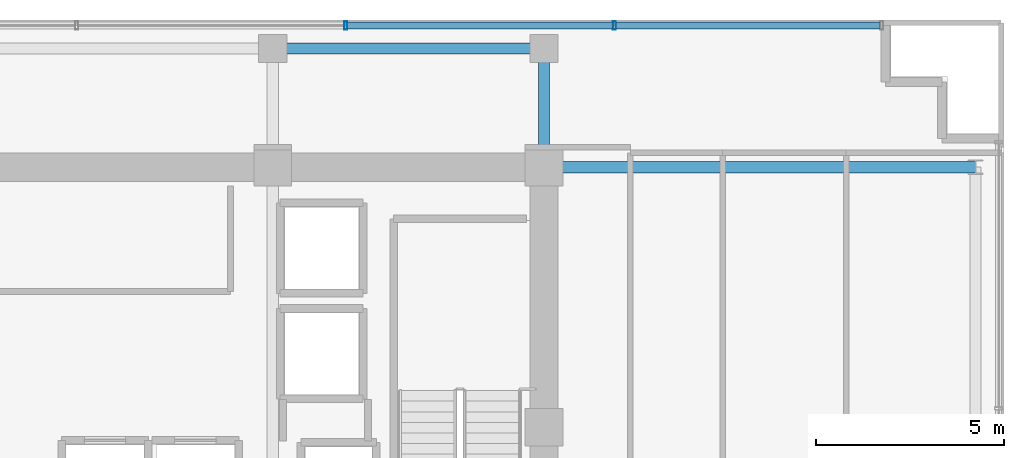
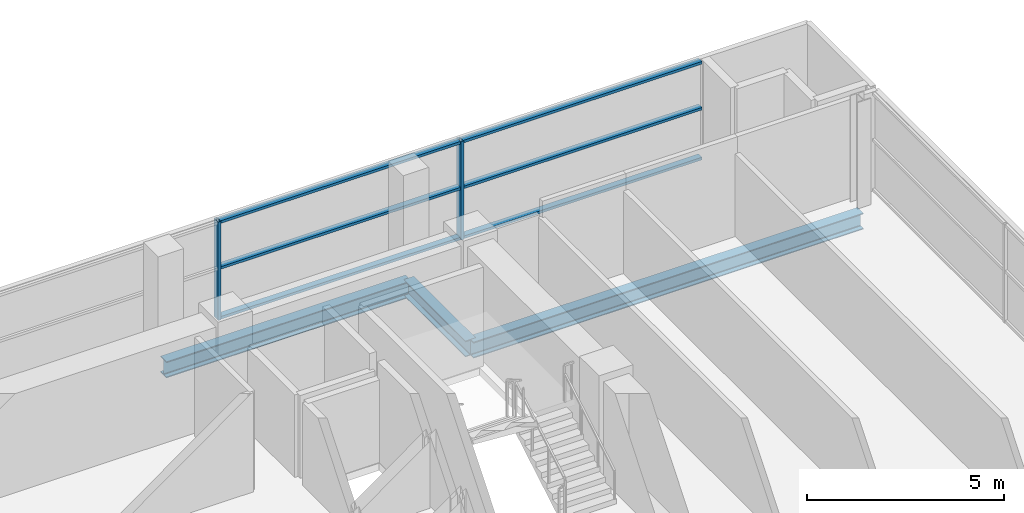
# One storey, part 12 of 21: 8 members, 3 beams, 1 element without a shape of its own.
"""IFC4 building model written with IfcOpenShell, lengths in metres."""

import ifcopenshell
import ifcopenshell.guid

model = None  # the IFC model being written
_history = None  # IfcOwnerHistory: only IFC2X3 demands one
_inside = {}  # id of a spatial element -> (the spatial element, [elements in it])
_under = {}  # id of a project, library or spatial element -> (it, [spatial elements below it])
_declared = {}  # id of a project -> (the project, [libraries it declares])
_typed = {}  # id of a type object -> (the type object, [elements of that type])
_made_of = {}  # id of a material, layer set ... -> (it, [elements and type objects made of it])


def new_model(schema):
    """Start an empty IFC model of exactly this schema.

    Asked for "IFC4X3", IfcOpenShell would pick the latest addendum, in which some entities
    have other attributes; the version numbers below select the first issue.
    IFC2X3 requires an IfcOwnerHistory on every rooted entity: one is made here for all.
    """
    global model, _history
    if schema == "IFC4X3":
        model = ifcopenshell.file(schema_version=(4, 3, 0, 0))
    else:
        model = ifcopenshell.file(schema=schema)
    _inside.clear()
    _under.clear()
    _declared.clear()
    _typed.clear()
    _made_of.clear()
    _history = None
    if model.schema == "IFC2X3":
        org = make("IfcOrganization", Name="unknown")
        user = make(
            "IfcPersonAndOrganization",
            ThePerson=make("IfcPerson", FamilyName="unknown"),
            TheOrganization=org,
        )
        app = make(
            "IfcApplication",
            ApplicationDeveloper=org,
            Version="unknown",
            ApplicationFullName="unknown",
            ApplicationIdentifier="unknown",
        )
        _history = make(
            "IfcOwnerHistory",
            OwningUser=user,
            OwningApplication=app,
            ChangeAction="ADDED",
            CreationDate=0,
        )
    return model


def make(cls, **values):
    """One entity of the class cls with the attributes given. An attribute that is None is left unset."""
    return model.create_entity(
        cls, **{name: value for name, value in values.items() if value is not None}
    )


def rooted(cls, **values):
    """An entity with a GlobalId (a new one), such as an element, a storey or a relation."""
    return make(cls, GlobalId=ifcopenshell.guid.new(), OwnerHistory=_history, **values)


def si_unit(unit_type, name, prefix=None):
    """IfcSIUnit, for example si_unit("LENGTHUNIT", "METRE", prefix="MILLI")."""
    return make("IfcSIUnit", UnitType=unit_type, Prefix=prefix, Name=name)


def assignment(units):
    """IfcUnitAssignment: the units of a project."""
    return None if units is None else make("IfcUnitAssignment", Units=units)


def point(xyz):
    """IfcCartesianPoint."""
    return None if xyz is None else make("IfcCartesianPoint", Coordinates=xyz)


def direction(xyz):
    """IfcDirection."""
    return None if xyz is None else make("IfcDirection", DirectionRatios=xyz)


def frame(location, z_axis=None, x_axis=None):
    """IfcAxis2Placement3D, a coordinate frame: its origin and axes. An axis left out is left unset."""
    return make(
        "IfcAxis2Placement3D",
        Location=point(location),
        Axis=direction(z_axis),
        RefDirection=direction(x_axis),
    )


def frame_2d(location, x_axis=None):
    """IfcAxis2Placement2D, a coordinate frame in the plane: its origin and x axis."""
    return make(
        "IfcAxis2Placement2D", Location=point(location), RefDirection=direction(x_axis)
    )


def origin():
    """The frame at (0, 0, 0) with its axes left unset."""
    return frame((0.0, 0.0, 0.0))


def origin_2d():
    """The frame at (0, 0) in the plane with its x axis left unset."""
    return frame_2d((0.0, 0.0))


def place(relative_to, where):
    """IfcLocalPlacement: puts the frame where relative to a parent placement (None: the world)."""
    return make(
        "IfcLocalPlacement", PlacementRelTo=relative_to, RelativePlacement=where
    )


def context(
    kind, dimensions, precision=None, world=None, true_north=None, identifier=None
):
    """IfcGeometricRepresentationContext, for example the 3D "Model" context."""
    return make(
        "IfcGeometricRepresentationContext",
        ContextIdentifier=identifier,
        ContextType=kind,
        CoordinateSpaceDimension=dimensions,
        Precision=precision,
        WorldCoordinateSystem=world,
        TrueNorth=true_north,
    )


def subcontext(parent, identifier, kind, view, scale=None):
    """IfcGeometricRepresentationSubContext, for example "Body" below "Model"."""
    return make(
        "IfcGeometricRepresentationSubContext",
        ContextIdentifier=identifier,
        ContextType=kind,
        ParentContext=parent,
        TargetScale=scale,
        TargetView=view,
    )


def project(units=None, contexts=None):
    """IfcProject with its units and contexts."""
    return rooted(
        "IfcProject",
        Name="project",
        RepresentationContexts=contexts,
        UnitsInContext=assignment(units),
    )


def spatial(cls, under=None, at=None, **own):
    """A site, building, storey or space (cls), placed at a placement, below another one or the project."""
    s = rooted(cls, ObjectPlacement=at, **own)
    if under is not None:
        _under.setdefault(under.id(), (under, []))[1].append(s)
    return s


def profile(cls, at=None, kind="AREA", **sizes):
    """A parametric profile (cls). Its sizes go by their IFC names, for example OverallWidth=200.0."""
    return make(cls, ProfileType=kind, Position=at, **sizes)


def hollow_rectangle(**sizes):
    """IfcRectangleHollowProfileDef."""
    return profile("IfcRectangleHollowProfileDef", **sizes)


def i_section(**sizes):
    """IfcIShapeProfileDef."""
    return profile("IfcIShapeProfileDef", **sizes)


def extrude(swept, where, along, depth):
    """IfcExtrudedAreaSolid: the profile swept, set in the frame where, extruded along a direction by depth."""
    return make(
        "IfcExtrudedAreaSolid",
        SweptArea=swept,
        Position=where,
        ExtrudedDirection=direction(along),
        Depth=depth,
    )


def shape(context_of_items, identifier, shape_type, items):
    """IfcShapeRepresentation: the items that make up one representation, for example the "Body"."""
    return make(
        "IfcShapeRepresentation",
        ContextOfItems=context_of_items,
        RepresentationIdentifier=identifier,
        RepresentationType=shape_type,
        Items=items,
    )


def source(mapping_origin, context_of_items, identifier, shape_type, items):
    """IfcRepresentationMap: a shape defined once, which mapped items show again and again."""
    return make(
        "IfcRepresentationMap",
        MappingOrigin=mapping_origin,
        MappedRepresentation=shape(context_of_items, identifier, shape_type, items),
    )


def transform(
    local_origin,
    x_axis=None,
    y_axis=None,
    z_axis=None,
    scale=None,
    scale2=None,
    scale3=None,
    uniform=True,
):
    """IfcCartesianTransformationOperator3D, or its non-uniform kind. x_axis, y_axis, z_axis: its Axis1, 2, 3."""
    if uniform:
        return make(
            "IfcCartesianTransformationOperator3D",
            Axis1=direction(x_axis),
            Axis2=direction(y_axis),
            LocalOrigin=point(local_origin),
            Scale=scale,
            Axis3=direction(z_axis),
        )
    return make(
        "IfcCartesianTransformationOperator3DnonUniform",
        Axis1=direction(x_axis),
        Axis2=direction(y_axis),
        LocalOrigin=point(local_origin),
        Scale=scale,
        Axis3=direction(z_axis),
        Scale2=scale2,
        Scale3=scale3,
    )


def mapped(mapping_source, mapping_target):
    """IfcMappedItem: shows the shape of a source again, moved by a transform."""
    return make(
        "IfcMappedItem", MappingSource=mapping_source, MappingTarget=mapping_target
    )


def material(Name=None, Category=None):
    """IfcMaterial."""
    return make("IfcMaterial", Name=Name, Category=Category)


def layer(
    of_material, thickness, ventilated=None, Name=None, Category=None, Priority=None
):
    """IfcMaterialLayer: one layer of a wall or slab, of a material (None: an air gap)."""
    return make(
        "IfcMaterialLayer",
        Material=of_material,
        LayerThickness=thickness,
        IsVentilated=ventilated,
        Name=Name,
        Category=Category,
        Priority=Priority,
    )


def layer_set(layers, Name=None):
    """IfcMaterialLayerSet."""
    return make("IfcMaterialLayerSet", MaterialLayers=layers, LayerSetName=Name)


def material_profile(
    of_material, cross_section, Name=None, Category=None, Priority=None
):
    """IfcMaterialProfile: a cross section and its material."""
    return make(
        "IfcMaterialProfile",
        Name=Name,
        Material=of_material,
        Profile=cross_section,
        Priority=Priority,
        Category=Category,
    )


def profile_set(profiles, Name=None, composite=None):
    """IfcMaterialProfileSet."""
    return make(
        "IfcMaterialProfileSet",
        Name=Name,
        MaterialProfiles=profiles,
        CompositeProfile=composite,
    )


def made_of(thing, what):
    """Note that an element or type object is made of a material, layer set ...; save() writes the relation."""
    if what is not None:
        _made_of.setdefault(what.id(), (what, []))[1].append(thing)
    return thing


def type_object(cls, material=None, **own):
    """A type object (cls), such as IfcWallType, which elements share."""
    return made_of(rooted(cls, **own), material)


def element(
    cls,
    number,
    at=None,
    inside=None,
    cuts=None,
    type_object=None,
    material=None,
    context=None,
    identifier="Body",
    shape_type=None,
    held_by="IfcProductDefinitionShape",
    body=None,
    shapes=None,
    **own,
):
    """One element of the class cls, such as IfcWall. Its Tag is "e" and its number.

    at: its placement. inside: the storey or other place that contains it. cuts: it is an
    opening in that element (IfcRelVoidsElement). A single representation is given by context,
    identifier, shape_type and body (its items); several are given by shapes. held_by: the class
    of the entity that holds the representations. save() writes the other relations.
    """
    e = rooted(cls, Tag="e%d" % number, ObjectPlacement=at, **own)
    if body is not None:
        shapes = [shape(context, identifier, shape_type, body)]
    if shapes is not None:
        e.Representation = make(held_by, Representations=shapes)
    if inside is not None:
        _inside.setdefault(inside.id(), (inside, []))[1].append(e)
    if cuts is not None:
        rooted(
            "IfcRelVoidsElement", RelatingBuildingElement=cuts, RelatedOpeningElement=e
        )
    if type_object is not None:
        _typed.setdefault(type_object.id(), (type_object, []))[1].append(e)
    return made_of(e, material)


def aggregate(whole, parts):
    """IfcRelAggregates: a whole, such as a stair, and the parts it consists of."""
    return rooted("IfcRelAggregates", RelatingObject=whole, RelatedObjects=parts)


def save(model, path):
    """Write the relations noted so far, then the file.

    IfcRelAggregates (storeys below a building ...), IfcRelContainedInSpatialStructure (elements
    in a storey), IfcRelDefinesByType, IfcRelAssociatesMaterial and IfcRelDeclares: one each for
    every whole, place, type object, material and project.
    """
    for whole, parts in _under.values():
        aggregate(whole, parts)
    for where, things in _inside.values():
        rooted(
            "IfcRelContainedInSpatialStructure",
            RelatedElements=things,
            RelatingStructure=where,
        )
    for kind, things in _typed.values():
        rooted("IfcRelDefinesByType", RelatedObjects=things, RelatingType=kind)
    for what, things in _made_of.values():
        rooted("IfcRelAssociatesMaterial", RelatedObjects=things, RelatingMaterial=what)
    for by, libraries in _declared.values():
        rooted("IfcRelDeclares", RelatingContext=by, RelatedDefinitions=libraries)
    model.write(path)


model = new_model("IFC4")

# Units and contexts
model_context = context("Model", 3, precision=1e-05, world=origin(), true_north=direction((0.0, 1.0)))
body_context = subcontext(model_context, "Body", "Model", "MODEL_VIEW")
ifc_project = project(units=[si_unit("LENGTHUNIT", "METRE"), si_unit("AREAUNIT", "SQUARE_METRE"), si_unit("VOLUMEUNIT", "CUBIC_METRE"), si_unit("PLANEANGLEUNIT", "RADIAN"), si_unit("MASSUNIT", "GRAM", prefix="KILO")], contexts=[model_context])

# Site, building, storey
site_placement = place(None, origin())
site = spatial("IfcSite", under=ifc_project, at=site_placement, CompositionType="ELEMENT")
building_placement = place(site_placement, origin())
building = spatial("IfcBuilding", under=site, at=building_placement, Name="Zarnakvel Exchange Tower", CompositionType="ELEMENT")
storey_placement = place(building_placement, frame((0.0, 0.0, 185.800048828125)))
storey = spatial("IfcBuildingStorey", under=building, at=storey_placement, Name="L52", CompositionType="ELEMENT", Elevation=185.800048828125)

# Beams
ifc_material_1 = material(Name="Steel S355", Category="steel")
ifc_material_profile_1 = material_profile(ifc_material_1, i_section(OverallWidth=0.300048828125, OverallDepth=0.5, WebThickness=0.014404296875, FlangeThickness=0.028076171875, FilletRadius=0.027099609375, at=origin_2d()))
ifc_profile_set_1 = profile_set([ifc_material_profile_1], Name="Steel S355")
beam_type_1 = type_object("IfcBeamType", Name="G-06", PredefinedType="BEAM", material=ifc_profile_set_1)
beam_1_placement = place(storey_placement, frame((14.39990234375, 13.5, -0.47509765625), z_axis=(1.0, 0.0, 0.0), x_axis=(0.0, 1.0, 0.0)))
element("IfcBeam", 1, at=beam_1_placement, inside=storey, type_object=beam_type_1, Name="L52 Tower E-W Frame Beam", PredefinedType="BEAM", context=body_context, shape_type="SweptSolid", body=[
    extrude(i_section(OverallWidth=0.300048828125, OverallDepth=0.5, WebThickness=0.014404296875, FlangeThickness=0.028076171875, FilletRadius=0.027099609375, at=origin_2d()), origin(), (0.0, 0.0, 1.0), 11.4501953125),
])
beam_2_placement = place(storey_placement, frame((14.39990234375, 13.5, -0.47509765625), z_axis=(0.0, 1.0, 0.0), x_axis=(-1.0, 0.0, 0.0)))
element("IfcBeam", 2, at=beam_2_placement, inside=storey, type_object=beam_type_1, Name="L52 Tower N-S Frame Beam", PredefinedType="BEAM", context=body_context, shape_type="SweptSolid", body=[
    extrude(i_section(OverallWidth=0.300048828125, OverallDepth=0.5, WebThickness=0.014404296875, FlangeThickness=0.028076171875, FilletRadius=0.027099609375, at=origin_2d()), origin(), (0.0, 0.0, 1.0), 3.14990234375),
])
ifc_material_profile_2 = material_profile(ifc_material_1, i_section(OverallWidth=0.300048828125, OverallDepth=0.5, WebThickness=0.014404296875, FlangeThickness=0.028076171875, FilletRadius=0.027099609375, at=origin_2d()))
ifc_profile_set_2 = profile_set([ifc_material_profile_2], Name="Steel S355")
beam_type_2 = type_object("IfcBeamType", Name="SP-02", PredefinedType="SPANDREL", material=ifc_profile_set_2)
beam_3_placement = place(storey_placement, frame((7.199951171875, 16.64990234375, -0.47509765625), z_axis=(1.0, 0.0, 0.0), x_axis=(0.0, 1.0, 0.0)))
element("IfcBeam", 3, at=beam_3_placement, inside=storey, type_object=beam_type_2, Name="L52 Tower E-W Frame Beam", PredefinedType="SPANDREL", context=body_context, shape_type="SweptSolid", body=[
    extrude(i_section(OverallWidth=0.300048828125, OverallDepth=0.5, WebThickness=0.014404296875, FlangeThickness=0.028076171875, FilletRadius=0.027099609375, at=origin_2d()), origin(), (0.0, 0.0, 1.0), 7.199951171875),
])

# Curtain wall, members
ifc_material_2 = material(Name="Architectural Bronze Anodised Aluminium", Category="aluminium")
ifc_layer = layer(ifc_material_2, 0.219970703125)
ifc_layer_set = layer_set([ifc_layer], Name="Architectural Bronze Anodised Aluminium")
curtain_wall_type = type_object("IfcCurtainWallType", Name="CW-03", PredefinedType="NOTDEFINED", material=ifc_layer_set)
curtain_wall_placement = place(storey_placement, origin())
curtain_wall = element("IfcCurtainWall", 4, at=curtain_wall_placement, inside=storey, type_object=curtain_wall_type, Name="L52 Curtain Wall CW-L52-N1 (CW-03)", PredefinedType="NOTDEFINED")
ifc_material_profile_3 = material_profile(ifc_material_2, hollow_rectangle(XDim=0.219970703125, YDim=0.080078125, WallThickness=0.0048828125, at=origin_2d()))
ifc_profile_set_3 = profile_set([ifc_material_profile_3], Name="Architectural Bronze Anodised Aluminium")
member_type_1 = type_object("IfcMemberType", Name="CWM-03", PredefinedType="MULLION", material=ifc_profile_set_3)
shared_shape_1 = source(origin(), body_context, "Body", "SweptSolid", [
    extrude(hollow_rectangle(XDim=0.219970703125, YDim=0.080078125, WallThickness=0.0048828125, at=origin_2d()), origin(), (0.0, 0.0, 1.0), 3.054931640625),
])
member_1_placement = place(storey_placement, frame((9.13330078125, 17.260009765625, 0.0), z_axis=(0.0, 0.0, 1.0), x_axis=(0.0, 1.0, 0.0)))
member_1 = element("IfcMember", 5, at=member_1_placement, type_object=member_type_1, Name="CW-03 mullion 5", PredefinedType="MULLION", context=body_context, shape_type="MappedRepresentation", body=[
    mapped(shared_shape_1, transform((0.0, 0.0, 0.0), x_axis=(1.0, 0.0, 0.0), y_axis=(0.0, 1.0, 0.0), z_axis=(0.0, 0.0, 1.0), scale=1.0)),
])
member_2_placement = place(storey_placement, frame((16.2666015625, 17.260009765625, 0.0), z_axis=(0.0, 0.0, 1.0), x_axis=(0.0, 1.0, 0.0)))
member_2 = element("IfcMember", 6, at=member_2_placement, type_object=member_type_1, Name="CW-03 mullion 6", PredefinedType="MULLION", context=body_context, shape_type="MappedRepresentation", body=[
    mapped(shared_shape_1, transform((0.0, 0.0, 0.0), x_axis=(1.0, 0.0, 0.0), y_axis=(0.0, 1.0, 0.0), z_axis=(0.0, 0.0, 1.0), scale=1.0)),
])
ifc_material_profile_4 = material_profile(ifc_material_2, hollow_rectangle(XDim=0.179931640625, YDim=0.080078125, WallThickness=0.00390625, at=origin_2d()))
ifc_profile_set_4 = profile_set([ifc_material_profile_4], Name="Architectural Bronze Anodised Aluminium")
member_type_2 = type_object("IfcMemberType", Name="CWT-03", PredefinedType="USERDEFINED", material=ifc_profile_set_4)
shared_shape_2 = source(origin(), body_context, "Body", "SweptSolid", [
    extrude(hollow_rectangle(XDim=0.179931640625, YDim=0.080078125, WallThickness=0.00390625, at=origin_2d()), origin(), (0.0, 0.0, 1.0), 7.013427734375),
])
member_3_placement = place(storey_placement, frame((16.306640625, 17.260009765625, 0.0400390625), z_axis=(1.0, 0.0, 0.0), x_axis=(0.0, 1.0, 0.0)))
member_3 = element("IfcMember", 7, at=member_3_placement, type_object=member_type_2, Name="CW-03 transom 6.1", ObjectType="TRANSOM", PredefinedType="USERDEFINED", context=body_context, shape_type="MappedRepresentation", body=[
    mapped(shared_shape_2, transform((0.0, 0.0, 0.0), x_axis=(1.0, 0.0, 0.0), y_axis=(0.0, 1.0, 0.0), z_axis=(0.0, 0.0, 1.0), scale=1.0)),
])
member_4_placement = place(storey_placement, frame((16.306640625, 17.260009765625, 1.588623046875), z_axis=(1.0, 0.0, 0.0), x_axis=(0.0, 1.0, 0.0)))
member_4 = element("IfcMember", 8, at=member_4_placement, type_object=member_type_2, Name="CW-03 transom 6.2", ObjectType="TRANSOM", PredefinedType="USERDEFINED", context=body_context, shape_type="MappedRepresentation", body=[
    mapped(shared_shape_2, transform((0.0, 0.0, 0.0), x_axis=(1.0, 0.0, 0.0), y_axis=(0.0, 1.0, 0.0), z_axis=(0.0, 0.0, 1.0), scale=1.0)),
])
member_5_placement = place(storey_placement, frame((16.306640625, 17.260009765625, 3.014892578125), z_axis=(1.0, 0.0, 0.0), x_axis=(0.0, 1.0, 0.0)))
member_5 = element("IfcMember", 9, at=member_5_placement, type_object=member_type_2, Name="CW-03 transom 6.3", ObjectType="TRANSOM", PredefinedType="USERDEFINED", context=body_context, shape_type="MappedRepresentation", body=[
    mapped(shared_shape_2, transform((0.0, 0.0, 0.0), x_axis=(1.0, 0.0, 0.0), y_axis=(0.0, 1.0, 0.0), z_axis=(0.0, 0.0, 1.0), scale=1.0)),
])
shared_shape_3 = source(origin(), body_context, "Body", "SweptSolid", [
    extrude(hollow_rectangle(XDim=0.179931640625, YDim=0.080078125, WallThickness=0.00390625, at=origin_2d()), origin(), (0.0, 0.0, 1.0), 7.05322265625),
])
member_6_placement = place(storey_placement, frame((9.17333984375, 17.260009765625, 0.0400390625), z_axis=(1.0, 0.0, 0.0), x_axis=(0.0, 1.0, 0.0)))
member_6 = element("IfcMember", 10, at=member_6_placement, type_object=member_type_2, Name="CW-03 transom 5.1", ObjectType="TRANSOM", PredefinedType="USERDEFINED", context=body_context, shape_type="MappedRepresentation", body=[
    mapped(shared_shape_3, transform((0.0, 0.0, 0.0), x_axis=(1.0, 0.0, 0.0), y_axis=(0.0, 1.0, 0.0), z_axis=(0.0, 0.0, 1.0), scale=1.0)),
])
member_7_placement = place(storey_placement, frame((9.17333984375, 17.260009765625, 1.588623046875), z_axis=(1.0, 0.0, 0.0), x_axis=(0.0, 1.0, 0.0)))
member_7 = element("IfcMember", 11, at=member_7_placement, type_object=member_type_2, Name="CW-03 transom 5.2", ObjectType="TRANSOM", PredefinedType="USERDEFINED", context=body_context, shape_type="MappedRepresentation", body=[
    mapped(shared_shape_3, transform((0.0, 0.0, 0.0), x_axis=(1.0, 0.0, 0.0), y_axis=(0.0, 1.0, 0.0), z_axis=(0.0, 0.0, 1.0), scale=1.0)),
])
member_8_placement = place(storey_placement, frame((9.17333984375, 17.260009765625, 3.014892578125), z_axis=(1.0, 0.0, 0.0), x_axis=(0.0, 1.0, 0.0)))
member_8 = element("IfcMember", 12, at=member_8_placement, type_object=member_type_2, Name="CW-03 transom 5.3", ObjectType="TRANSOM", PredefinedType="USERDEFINED", context=body_context, shape_type="MappedRepresentation", body=[
    mapped(shared_shape_3, transform((0.0, 0.0, 0.0), x_axis=(1.0, 0.0, 0.0), y_axis=(0.0, 1.0, 0.0), z_axis=(0.0, 0.0, 1.0), scale=1.0)),
])
aggregate(curtain_wall, [member_1, member_2, member_6, member_7, member_8, member_3, member_4, member_5])

save(model, "model.ifc")
